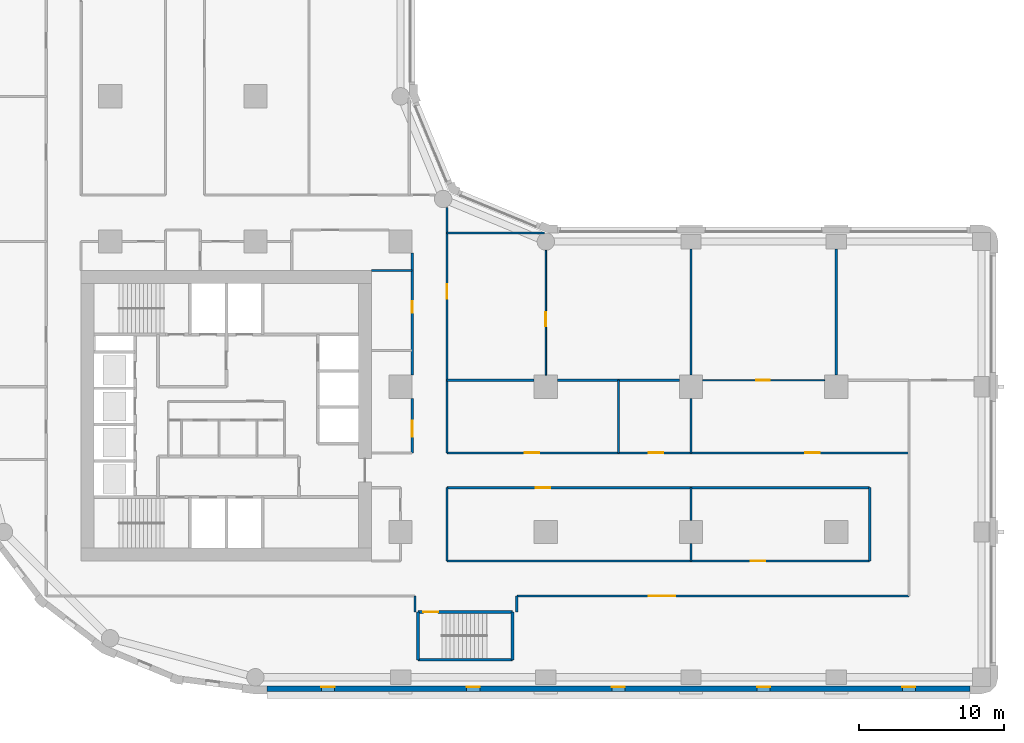
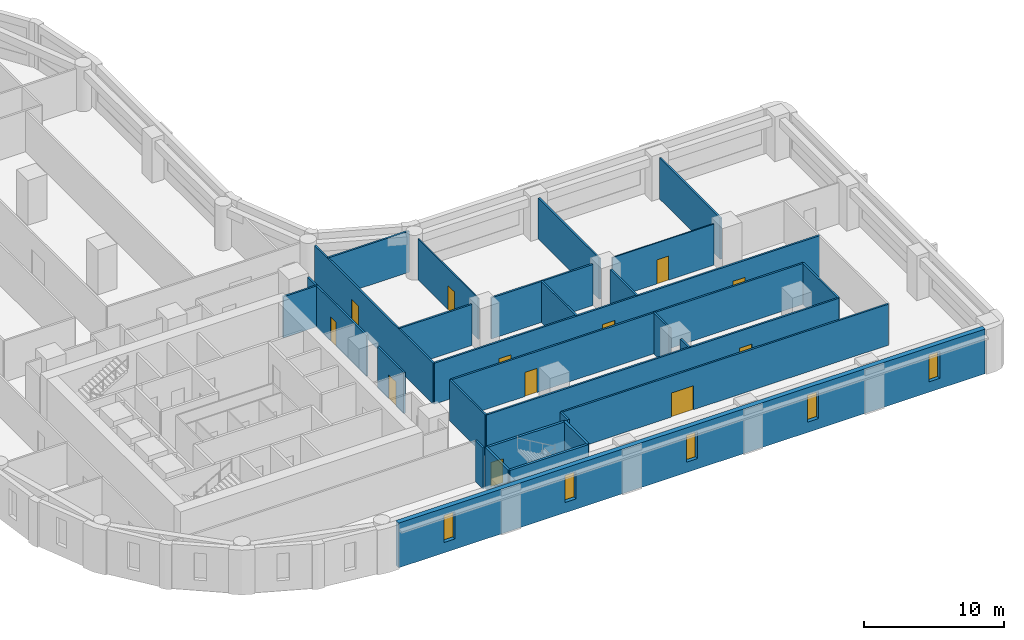
# One storey, part 4 of 10: 28 walls, 12 doors, 5 windows, 17 openings.
"""IFC4 building model written with IfcOpenShell, lengths in metres."""

import ifcopenshell
import ifcopenshell.guid

model = None  # the IFC model being written
_history = None  # IfcOwnerHistory: only IFC2X3 demands one
_inside = {}  # id of a spatial element -> (the spatial element, [elements in it])
_under = {}  # id of a project, library or spatial element -> (it, [spatial elements below it])
_declared = {}  # id of a project -> (the project, [libraries it declares])
_typed = {}  # id of a type object -> (the type object, [elements of that type])
_made_of = {}  # id of a material, layer set ... -> (it, [elements and type objects made of it])


def new_model(schema):
    """Start an empty IFC model of exactly this schema.

    Asked for "IFC4X3", IfcOpenShell would pick the latest addendum, in which some entities
    have other attributes; the version numbers below select the first issue.
    IFC2X3 requires an IfcOwnerHistory on every rooted entity: one is made here for all.
    """
    global model, _history
    if schema == "IFC4X3":
        model = ifcopenshell.file(schema_version=(4, 3, 0, 0))
    else:
        model = ifcopenshell.file(schema=schema)
    _inside.clear()
    _under.clear()
    _declared.clear()
    _typed.clear()
    _made_of.clear()
    _history = None
    if model.schema == "IFC2X3":
        org = make("IfcOrganization", Name="unknown")
        user = make(
            "IfcPersonAndOrganization",
            ThePerson=make("IfcPerson", FamilyName="unknown"),
            TheOrganization=org,
        )
        app = make(
            "IfcApplication",
            ApplicationDeveloper=org,
            Version="unknown",
            ApplicationFullName="unknown",
            ApplicationIdentifier="unknown",
        )
        _history = make(
            "IfcOwnerHistory",
            OwningUser=user,
            OwningApplication=app,
            ChangeAction="ADDED",
            CreationDate=0,
        )
    return model


def make(cls, **values):
    """One entity of the class cls with the attributes given. An attribute that is None is left unset."""
    return model.create_entity(
        cls, **{name: value for name, value in values.items() if value is not None}
    )


def rooted(cls, **values):
    """An entity with a GlobalId (a new one), such as an element, a storey or a relation."""
    return make(cls, GlobalId=ifcopenshell.guid.new(), OwnerHistory=_history, **values)


def si_unit(unit_type, name, prefix=None):
    """IfcSIUnit, for example si_unit("LENGTHUNIT", "METRE", prefix="MILLI")."""
    return make("IfcSIUnit", UnitType=unit_type, Prefix=prefix, Name=name)


def assignment(units):
    """IfcUnitAssignment: the units of a project."""
    return None if units is None else make("IfcUnitAssignment", Units=units)


def point(xyz):
    """IfcCartesianPoint."""
    return None if xyz is None else make("IfcCartesianPoint", Coordinates=xyz)


def direction(xyz):
    """IfcDirection."""
    return None if xyz is None else make("IfcDirection", DirectionRatios=xyz)


def frame(location, z_axis=None, x_axis=None):
    """IfcAxis2Placement3D, a coordinate frame: its origin and axes. An axis left out is left unset."""
    return make(
        "IfcAxis2Placement3D",
        Location=point(location),
        Axis=direction(z_axis),
        RefDirection=direction(x_axis),
    )


def frame_2d(location, x_axis=None):
    """IfcAxis2Placement2D, a coordinate frame in the plane: its origin and x axis."""
    return make(
        "IfcAxis2Placement2D", Location=point(location), RefDirection=direction(x_axis)
    )


def origin():
    """The frame at (0, 0, 0) with its axes left unset."""
    return frame((0.0, 0.0, 0.0))


def place(relative_to, where):
    """IfcLocalPlacement: puts the frame where relative to a parent placement (None: the world)."""
    return make(
        "IfcLocalPlacement", PlacementRelTo=relative_to, RelativePlacement=where
    )


def context(
    kind, dimensions, precision=None, world=None, true_north=None, identifier=None
):
    """IfcGeometricRepresentationContext, for example the 3D "Model" context."""
    return make(
        "IfcGeometricRepresentationContext",
        ContextIdentifier=identifier,
        ContextType=kind,
        CoordinateSpaceDimension=dimensions,
        Precision=precision,
        WorldCoordinateSystem=world,
        TrueNorth=true_north,
    )


def subcontext(parent, identifier, kind, view, scale=None):
    """IfcGeometricRepresentationSubContext, for example "Body" below "Model"."""
    return make(
        "IfcGeometricRepresentationSubContext",
        ContextIdentifier=identifier,
        ContextType=kind,
        ParentContext=parent,
        TargetScale=scale,
        TargetView=view,
    )


def project(units=None, contexts=None):
    """IfcProject with its units and contexts."""
    return rooted(
        "IfcProject",
        Name="project",
        RepresentationContexts=contexts,
        UnitsInContext=assignment(units),
    )


def spatial(cls, under=None, at=None, **own):
    """A site, building, storey or space (cls), placed at a placement, below another one or the project."""
    s = rooted(cls, ObjectPlacement=at, **own)
    if under is not None:
        _under.setdefault(under.id(), (under, []))[1].append(s)
    return s


def profile(cls, at=None, kind="AREA", **sizes):
    """A parametric profile (cls). Its sizes go by their IFC names, for example OverallWidth=200.0."""
    return make(cls, ProfileType=kind, Position=at, **sizes)


def rectangle(**sizes):
    """IfcRectangleProfileDef."""
    return profile("IfcRectangleProfileDef", **sizes)


def extrude(swept, where, along, depth):
    """IfcExtrudedAreaSolid: the profile swept, set in the frame where, extruded along a direction by depth."""
    return make(
        "IfcExtrudedAreaSolid",
        SweptArea=swept,
        Position=where,
        ExtrudedDirection=direction(along),
        Depth=depth,
    )


def shape(context_of_items, identifier, shape_type, items):
    """IfcShapeRepresentation: the items that make up one representation, for example the "Body"."""
    return make(
        "IfcShapeRepresentation",
        ContextOfItems=context_of_items,
        RepresentationIdentifier=identifier,
        RepresentationType=shape_type,
        Items=items,
    )


def material(Name=None, Category=None):
    """IfcMaterial."""
    return make("IfcMaterial", Name=Name, Category=Category)


def layer(
    of_material, thickness, ventilated=None, Name=None, Category=None, Priority=None
):
    """IfcMaterialLayer: one layer of a wall or slab, of a material (None: an air gap)."""
    return make(
        "IfcMaterialLayer",
        Material=of_material,
        LayerThickness=thickness,
        IsVentilated=ventilated,
        Name=Name,
        Category=Category,
        Priority=Priority,
    )


def layer_set(layers, Name=None):
    """IfcMaterialLayerSet."""
    return make("IfcMaterialLayerSet", MaterialLayers=layers, LayerSetName=Name)


def made_of(thing, what):
    """Note that an element or type object is made of a material, layer set ...; save() writes the relation."""
    if what is not None:
        _made_of.setdefault(what.id(), (what, []))[1].append(thing)
    return thing


def type_object(cls, material=None, **own):
    """A type object (cls), such as IfcWallType, which elements share."""
    return made_of(rooted(cls, **own), material)


def element(
    cls,
    number,
    at=None,
    inside=None,
    cuts=None,
    type_object=None,
    material=None,
    context=None,
    identifier="Body",
    shape_type=None,
    held_by="IfcProductDefinitionShape",
    body=None,
    shapes=None,
    **own,
):
    """One element of the class cls, such as IfcWall. Its Tag is "e" and its number.

    at: its placement. inside: the storey or other place that contains it. cuts: it is an
    opening in that element (IfcRelVoidsElement). A single representation is given by context,
    identifier, shape_type and body (its items); several are given by shapes. held_by: the class
    of the entity that holds the representations. save() writes the other relations.
    """
    e = rooted(cls, Tag="e%d" % number, ObjectPlacement=at, **own)
    if body is not None:
        shapes = [shape(context, identifier, shape_type, body)]
    if shapes is not None:
        e.Representation = make(held_by, Representations=shapes)
    if inside is not None:
        _inside.setdefault(inside.id(), (inside, []))[1].append(e)
    if cuts is not None:
        rooted(
            "IfcRelVoidsElement", RelatingBuildingElement=cuts, RelatedOpeningElement=e
        )
    if type_object is not None:
        _typed.setdefault(type_object.id(), (type_object, []))[1].append(e)
    return made_of(e, material)


def fill(opening, filler):
    """IfcRelFillsElement: the door or window that sits in an opening."""
    return rooted(
        "IfcRelFillsElement",
        RelatingOpeningElement=opening,
        RelatedBuildingElement=filler,
    )


def aggregate(whole, parts):
    """IfcRelAggregates: a whole, such as a stair, and the parts it consists of."""
    return rooted("IfcRelAggregates", RelatingObject=whole, RelatedObjects=parts)


def save(model, path):
    """Write the relations noted so far, then the file.

    IfcRelAggregates (storeys below a building ...), IfcRelContainedInSpatialStructure (elements
    in a storey), IfcRelDefinesByType, IfcRelAssociatesMaterial and IfcRelDeclares: one each for
    every whole, place, type object, material and project.
    """
    for whole, parts in _under.values():
        aggregate(whole, parts)
    for where, things in _inside.values():
        rooted(
            "IfcRelContainedInSpatialStructure",
            RelatedElements=things,
            RelatingStructure=where,
        )
    for kind, things in _typed.values():
        rooted("IfcRelDefinesByType", RelatedObjects=things, RelatingType=kind)
    for what, things in _made_of.values():
        rooted("IfcRelAssociatesMaterial", RelatedObjects=things, RelatingMaterial=what)
    for by, libraries in _declared.values():
        rooted("IfcRelDeclares", RelatingContext=by, RelatedDefinitions=libraries)
    model.write(path)


model = new_model("IFC4")

# Units and contexts
model_context = context("Model", 3, precision=1e-05, world=origin(), true_north=direction((0.0, 1.0)))
body_context = subcontext(model_context, "Body", "Model", "MODEL_VIEW")
ifc_project = project(units=[si_unit("LENGTHUNIT", "METRE"), si_unit("AREAUNIT", "SQUARE_METRE"), si_unit("VOLUMEUNIT", "CUBIC_METRE"), si_unit("PLANEANGLEUNIT", "RADIAN"), si_unit("MASSUNIT", "GRAM", prefix="KILO")], contexts=[model_context])

# Site, building, storey
site_placement = place(None, origin())
site = spatial("IfcSite", under=ifc_project, at=site_placement, CompositionType="ELEMENT")
building_placement = place(site_placement, origin())
building = spatial("IfcBuilding", under=site, at=building_placement, Name="Qaws Garden Tower", CompositionType="ELEMENT")
storey_placement = place(building_placement, frame((0.0, 0.0, 78.300048828125)))
storey = spatial("IfcBuildingStorey", under=building, at=storey_placement, Name="L19", CompositionType="ELEMENT", Elevation=78.300048828125)

# Wall, openings, windows
ifc_material_1 = material(Name="Clay facing brick masonry", Category="masonry")
ifc_layer_1 = layer(ifc_material_1, 0.39990234375)
ifc_layer_set_1 = layer_set([ifc_layer_1], Name="Clay facing brick masonry")
wall_type_1 = type_object("IfcWallType", Name="Brick infill wall 400", PredefinedType="SOLIDWALL", material=ifc_layer_set_1)
wall_1_placement = place(storey_placement, frame((20.800048828125, -0.800048828125, 0.0), z_axis=(0.0, 0.0, 1.0), x_axis=(1.0, 0.0, 0.0)))
wall_1 = element("IfcWall", 1, at=wall_1_placement, inside=storey, type_object=wall_type_1, Name="E-L19-infill-00", PredefinedType="SOLIDWALL", context=body_context, shape_type="SweptSolid", body=[
    extrude(rectangle(XDim=48.39990234375, YDim=0.39990234375, at=frame_2d((24.199951171875, 0.0))), origin(), (0.0, 0.0, 1.0), 3.89990234375),
])
opening_1_placement = place(wall_1_placement, frame((3.75, 0.0, 0.89990234375)))
opening_1 = element("IfcOpeningElement", 2, at=opening_1_placement, cuts=wall_1, Name="Opening W09", PredefinedType="OPENING", context=body_context, shape_type="SweptSolid", body=[
    extrude(rectangle(XDim=0.89990234375, YDim=2.35009765625, at=frame_2d((0.449951171875, 1.175048828125))), frame((0.0, 0.2099609375, 0.0), z_axis=(0.0, -1.0, 0.0), x_axis=(1.0, 0.0, 0.0)), (0.0, 0.0, 1.0), 0.419921875),
])
opening_2_placement = place(wall_1_placement, frame((13.75, 0.0, 0.89990234375)))
opening_2 = element("IfcOpeningElement", 3, at=opening_2_placement, cuts=wall_1, Name="Opening W09", PredefinedType="OPENING", context=body_context, shape_type="SweptSolid", body=[
    extrude(rectangle(XDim=0.89990234375, YDim=2.35009765625, at=frame_2d((0.449951171875, 1.175048828125))), frame((0.0, 0.2099609375, 0.0), z_axis=(0.0, -1.0, 0.0), x_axis=(1.0, 0.0, 0.0)), (0.0, 0.0, 1.0), 0.419921875),
])
opening_3_placement = place(wall_1_placement, frame((23.75, 0.0, 0.89990234375)))
opening_3 = element("IfcOpeningElement", 4, at=opening_3_placement, cuts=wall_1, Name="Opening W09", PredefinedType="OPENING", context=body_context, shape_type="SweptSolid", body=[
    extrude(rectangle(XDim=0.89990234375, YDim=2.35009765625, at=frame_2d((0.449951171875, 1.175048828125))), frame((0.0, 0.2099609375, 0.0), z_axis=(0.0, -1.0, 0.0), x_axis=(1.0, 0.0, 0.0)), (0.0, 0.0, 1.0), 0.419921875),
])
opening_4_placement = place(wall_1_placement, frame((33.75, 0.0, 0.89990234375)))
opening_4 = element("IfcOpeningElement", 5, at=opening_4_placement, cuts=wall_1, Name="Opening W09", PredefinedType="OPENING", context=body_context, shape_type="SweptSolid", body=[
    extrude(rectangle(XDim=0.89990234375, YDim=2.35009765625, at=frame_2d((0.449951171875, 1.175048828125))), frame((0.0, 0.2099609375, 0.0), z_axis=(0.0, -1.0, 0.0), x_axis=(1.0, 0.0, 0.0)), (0.0, 0.0, 1.0), 0.419921875),
])
opening_5_placement = place(wall_1_placement, frame((43.75, 0.0, 0.89990234375)))
opening_5 = element("IfcOpeningElement", 6, at=opening_5_placement, cuts=wall_1, Name="Opening W09", PredefinedType="OPENING", context=body_context, shape_type="SweptSolid", body=[
    extrude(rectangle(XDim=0.89990234375, YDim=2.35009765625, at=frame_2d((0.449951171875, 1.175048828125))), frame((0.0, 0.2099609375, 0.0), z_axis=(0.0, -1.0, 0.0), x_axis=(1.0, 0.0, 0.0)), (0.0, 0.0, 1.0), 0.419921875),
])
ifc_material_2 = material(Name="Aluminium framed window, clear glazing", Category="aluminium")
window_type = type_object("IfcWindowType", Name="Slit window 900 x 2350", PartitioningType="SINGLE_PANEL", PredefinedType="WINDOW", material=ifc_material_2)
window_1_placement = place(opening_1_placement, origin())
window_1 = element("IfcWindow", 7, at=window_1_placement, inside=storey, type_object=window_type, Name="E-L19-window-00-0", OverallHeight=2.35009765625, OverallWidth=0.89990234375, PartitioningType="SINGLE_PANEL", PredefinedType="WINDOW", context=body_context, shape_type="SweptSolid", body=[
    extrude(rectangle(XDim=0.89990234375, YDim=2.35009765625, at=frame_2d((0.449951171875, 1.175048828125))), frame((0.0, 0.159912109375, 0.0), z_axis=(0.0, -1.0, 0.0), x_axis=(1.0, 0.0, 0.0)), (0.0, 0.0, 1.0), 0.06005859375),
])
fill(opening_1, window_1)
window_2_placement = place(opening_2_placement, origin())
window_2 = element("IfcWindow", 8, at=window_2_placement, inside=storey, type_object=window_type, Name="E-L19-window-01-0", OverallHeight=2.35009765625, OverallWidth=0.89990234375, PartitioningType="SINGLE_PANEL", PredefinedType="WINDOW", context=body_context, shape_type="SweptSolid", body=[
    extrude(rectangle(XDim=0.89990234375, YDim=2.35009765625, at=frame_2d((0.449951171875, 1.175048828125))), frame((0.0, 0.159912109375, 0.0), z_axis=(0.0, -1.0, 0.0), x_axis=(1.0, 0.0, 0.0)), (0.0, 0.0, 1.0), 0.06005859375),
])
fill(opening_2, window_2)
window_3_placement = place(opening_3_placement, origin())
window_3 = element("IfcWindow", 9, at=window_3_placement, inside=storey, type_object=window_type, Name="E-L19-window-02-0", OverallHeight=2.35009765625, OverallWidth=0.89990234375, PartitioningType="SINGLE_PANEL", PredefinedType="WINDOW", context=body_context, shape_type="SweptSolid", body=[
    extrude(rectangle(XDim=0.89990234375, YDim=2.35009765625, at=frame_2d((0.449951171875, 1.175048828125))), frame((0.0, 0.159912109375, 0.0), z_axis=(0.0, -1.0, 0.0), x_axis=(1.0, 0.0, 0.0)), (0.0, 0.0, 1.0), 0.06005859375),
])
fill(opening_3, window_3)
window_4_placement = place(opening_4_placement, origin())
window_4 = element("IfcWindow", 10, at=window_4_placement, inside=storey, type_object=window_type, Name="E-L19-window-03-0", OverallHeight=2.35009765625, OverallWidth=0.89990234375, PartitioningType="SINGLE_PANEL", PredefinedType="WINDOW", context=body_context, shape_type="SweptSolid", body=[
    extrude(rectangle(XDim=0.89990234375, YDim=2.35009765625, at=frame_2d((0.449951171875, 1.175048828125))), frame((0.0, 0.159912109375, 0.0), z_axis=(0.0, -1.0, 0.0), x_axis=(1.0, 0.0, 0.0)), (0.0, 0.0, 1.0), 0.06005859375),
])
fill(opening_4, window_4)
window_5_placement = place(opening_5_placement, origin())
window_5 = element("IfcWindow", 11, at=window_5_placement, inside=storey, type_object=window_type, Name="E-L19-window-04-0", OverallHeight=2.35009765625, OverallWidth=0.89990234375, PartitioningType="SINGLE_PANEL", PredefinedType="WINDOW", context=body_context, shape_type="SweptSolid", body=[
    extrude(rectangle(XDim=0.89990234375, YDim=2.35009765625, at=frame_2d((0.449951171875, 1.175048828125))), frame((0.0, 0.159912109375, 0.0), z_axis=(0.0, -1.0, 0.0), x_axis=(1.0, 0.0, 0.0)), (0.0, 0.0, 1.0), 0.06005859375),
])
fill(opening_5, window_5)

# Wall
ifc_material_3 = material(Name="Concrete C80", Category="concrete")
ifc_layer_2 = layer(ifc_material_3, 0.199951171875)
ifc_layer_set_2 = layer_set([ifc_layer_2], Name="Concrete C80")
wall_type_2 = type_object("IfcWallType", Name="Core shaft wall 200 C80", PredefinedType="SHEAR", material=ifc_layer_set_2)
wall_2_placement = place(storey_placement, frame((31.199951171875, 1.199951171875, 0.0), z_axis=(0.0, 0.0, 1.0), x_axis=(1.0, 0.0, 0.0)))
element("IfcWall", 12, at=wall_2_placement, inside=storey, type_object=wall_type_2, Name="Shaft wall", PredefinedType="SHEAR", context=body_context, shape_type="SweptSolid", body=[
    extrude(rectangle(XDim=6.5, YDim=0.199951171875, at=frame_2d((3.25, 0.0))), origin(), (0.0, 0.0, 1.0), 3.579833984375),
])

# Wall, opening, door
wall_3_placement = place(storey_placement, frame((31.199951171875, 4.5, 0.0), z_axis=(0.0, 0.0, 1.0), x_axis=(1.0, 0.0, 0.0)))
wall_3 = element("IfcWall", 13, at=wall_3_placement, inside=storey, type_object=wall_type_2, Name="Shaft wall", PredefinedType="SHEAR", context=body_context, shape_type="SweptSolid", body=[
    extrude(rectangle(XDim=6.5, YDim=0.199951171875, at=frame_2d((3.25, 0.0))), origin(), (0.0, 0.0, 1.0), 3.579833984375),
])
opening_6_placement = place(wall_3_placement, frame((0.375, 0.0, 0.0)))
opening_6 = element("IfcOpeningElement", 14, at=opening_6_placement, cuts=wall_3, Name="Opening SD12", PredefinedType="OPENING", context=body_context, shape_type="SweptSolid", body=[
    extrude(rectangle(XDim=1.0, YDim=2.10009765625, at=frame_2d((0.5, 1.050048828125))), frame((0.0, 0.10986328125, 0.0), z_axis=(0.0, -1.0, 0.0), x_axis=(1.0, 0.0, 0.0)), (0.0, 0.0, 1.0), 0.219970703125),
])
ifc_material_4 = material(Name="Steel S235", Category="steel")
door_type_1 = type_object("IfcDoorType", Name="Stair door 1000x2100", OperationType="SINGLE_SWING_RIGHT", PredefinedType="DOOR", material=ifc_material_4)
door_1_placement = place(opening_6_placement, frame((1.0, 0.0, 0.0), z_axis=(0.0, 0.0, 1.0), x_axis=(-1.0, 0.0, 0.0)))
door_1 = element("IfcDoor", 15, at=door_1_placement, inside=storey, type_object=door_type_1, Name="Stair 5 door", OperationType="SINGLE_SWING_RIGHT", OverallHeight=2.10009765625, OverallWidth=1.0, PredefinedType="DOOR", context=body_context, shape_type="SweptSolid", body=[
    extrude(rectangle(XDim=1.0, YDim=2.10009765625, at=frame_2d((0.5, 1.050048828125))), frame((0.0, 0.02490234375, 0.0), z_axis=(0.0, -1.0, 0.0), x_axis=(1.0, 0.0, 0.0)), (0.0, 0.0, 1.0), 0.050048828125),
])
fill(opening_6, door_1)

# Walls
for number, where, z_axis, x_axis, name in (
    (16, (31.199951171875, 1.199951171875, 0.0), (0.0, 0.0, 1.0), (0.0, 1.0, 0.0), "Shaft wall"),
    (17, (37.699951171875, 1.199951171875, 0.0), (0.0, 0.0, 1.0), (0.0, 1.0, 0.0), "Shaft wall"),
):
    element("IfcWall", number, at=place(storey_placement, frame(where, z_axis=z_axis, x_axis=x_axis)), inside=storey, type_object=wall_type_2, Name=name, PredefinedType="SHEAR", context=body_context, shape_type="SweptSolid", body=[
        extrude(rectangle(XDim=3.300048828125, YDim=0.199951171875, at=frame_2d((1.64990234375, 0.0))), origin(), (0.0, 0.0, 1.0), 3.579833984375),
    ])

# Wall, opening, door
ifc_material_5 = material(Name="Gypsum board partition")
ifc_layer_3 = layer(ifc_material_5, 0.10009765625)
ifc_layer_set_3 = layer_set([ifc_layer_3], Name="Gypsum board partition")
wall_type_3 = type_object("IfcWallType", Name="PARTITION 100", PredefinedType="PARTITIONING", material=ifc_layer_set_3)
wall_4_placement = place(storey_placement, frame((40.0, 20.800048828125, 0.0), z_axis=(0.0, 0.0, 1.0), x_axis=(0.0, 1.0, 0.0)))
wall_4 = element("IfcWall", 18, at=wall_4_placement, inside=storey, type_object=wall_type_3, Name="O-L19-wall-001", PredefinedType="PARTITIONING", context=body_context, shape_type="SweptSolid", body=[
    extrude(rectangle(XDim=8.599853515625, YDim=0.10009765625, at=frame_2d((4.2998046875, 0.0))), origin(), (0.0, 0.0, 1.0), 3.579833984375),
])
opening_7_placement = place(wall_4_placement, frame((3.375, 0.0, 0.0)))
opening_7 = element("IfcOpeningElement", 19, at=opening_7_placement, cuts=wall_4, Name="Opening A626", PredefinedType="OPENING", context=body_context, shape_type="SweptSolid", body=[
    extrude(rectangle(XDim=0.949951171875, YDim=2.10009765625, at=frame_2d((0.47509765625, 1.050048828125))), frame((0.0, 0.06005859375, 0.0), z_axis=(0.0, -1.0, 0.0), x_axis=(1.0, 0.0, 0.0)), (0.0, 0.0, 1.0), 0.1201171875),
])
ifc_material_6 = material(Name="Timber and glass door leaf", Category="wood")
door_type_2 = type_object("IfcDoorType", Name="GLAZED DOOR 950 X 2100", OperationType="SINGLE_SWING_LEFT", PredefinedType="DOOR", material=ifc_material_6)
door_2_placement = place(opening_7_placement, origin())
door_2 = element("IfcDoor", 20, at=door_2_placement, inside=storey, type_object=door_type_2, Name="O-L19-door-026", OperationType="SINGLE_SWING_RIGHT", OverallHeight=2.10009765625, OverallWidth=0.949951171875, PredefinedType="DOOR", context=body_context, shape_type="SweptSolid", body=[
    extrude(rectangle(XDim=0.949951171875, YDim=2.10009765625, at=frame_2d((0.47509765625, 1.050048828125))), frame((0.0, 0.02490234375, 0.0), z_axis=(0.0, -1.0, 0.0), x_axis=(1.0, 0.0, 0.0)), (0.0, 0.0, 1.0), 0.050048828125),
])
fill(opening_7, door_2)

wall_5_placement = place(storey_placement, frame((50.800048828125, 20.449951171875, 0.0), z_axis=(0.0, 0.0, 1.0), x_axis=(1.0, 0.0, 0.0)))
wall_5 = element("IfcWall", 21, at=wall_5_placement, inside=storey, type_object=wall_type_3, Name="O-L19-wall-002", PredefinedType="PARTITIONING", context=body_context, shape_type="SweptSolid", body=[
    extrude(rectangle(XDim=8.39990234375, YDim=0.10009765625, at=frame_2d((4.199951171875, 0.0))), origin(), (0.0, 0.0, 1.0), 3.579833984375),
])
opening_8_placement = place(wall_5_placement, frame((3.675048828125, 0.0, 0.0)))
opening_8 = element("IfcOpeningElement", 22, at=opening_8_placement, cuts=wall_5, Name="Opening A627", PredefinedType="OPENING", context=body_context, shape_type="SweptSolid", body=[
    extrude(rectangle(XDim=0.949951171875, YDim=2.10009765625, at=frame_2d((0.47509765625, 1.050048828125))), frame((0.0, 0.06005859375, 0.0), z_axis=(0.0, -1.0, 0.0), x_axis=(1.0, 0.0, 0.0)), (0.0, 0.0, 1.0), 0.1201171875),
])
door_3_placement = place(opening_8_placement, frame((0.949951171875, 0.0, 0.0), z_axis=(0.0, 0.0, 1.0), x_axis=(-1.0, 0.0, 0.0)))
door_3 = element("IfcDoor", 23, at=door_3_placement, inside=storey, type_object=door_type_2, Name="O-L19-door-027", OperationType="SINGLE_SWING_RIGHT", OverallHeight=2.10009765625, OverallWidth=0.949951171875, PredefinedType="DOOR", context=body_context, shape_type="SweptSolid", body=[
    extrude(rectangle(XDim=0.949951171875, YDim=2.10009765625, at=frame_2d((0.47509765625, 1.050048828125))), frame((0.0, 0.02490234375, 0.0), z_axis=(0.0, -1.0, 0.0), x_axis=(1.0, 0.0, 0.0)), (0.0, 0.0, 1.0), 0.050048828125),
])
fill(opening_8, door_3)

ifc_material_7 = material(Name="Gypsum board partition")
ifc_layer_4 = layer(ifc_material_7, 0.14990234375)
ifc_layer_set_4 = layer_set([ifc_layer_4], Name="Gypsum board partition")
wall_type_4 = type_object("IfcWallType", Name="PARTITION 150 EI 60", PredefinedType="PARTITIONING", material=ifc_layer_set_4)
wall_6_placement = place(storey_placement, frame((30.800048828125, 15.449951171875, 0.0), z_axis=(0.0, 0.0, 1.0), x_axis=(0.0, 1.0, 0.0)))
wall_6 = element("IfcWall", 24, at=wall_6_placement, inside=storey, type_object=wall_type_4, Name="O-L19-wall-019", PredefinedType="PARTITIONING", context=body_context, shape_type="SweptSolid", body=[
    extrude(rectangle(XDim=3.75, YDim=0.14990234375, at=frame_2d((1.875, 0.0))), origin(), (0.0, 0.0, 1.0), 3.579833984375),
])
opening_9_placement = place(wall_6_placement, frame((1.10009765625, 0.0, 0.0)))
opening_9 = element("IfcOpeningElement", 25, at=opening_9_placement, cuts=wall_6, Name="Opening A607", PredefinedType="OPENING", context=body_context, shape_type="SweptSolid", body=[
    extrude(rectangle(XDim=1.10009765625, YDim=2.10009765625, at=frame_2d((0.550048828125, 1.050048828125))), frame((0.0, 0.0849609375, 0.0), z_axis=(0.0, -1.0, 0.0), x_axis=(1.0, 0.0, 0.0)), (0.0, 0.0, 1.0), 0.169921875),
])
ifc_material_8 = material(Name="Timber door leaf", Category="wood")
door_type_3 = type_object("IfcDoorType", Name="SERVICE ROOM DOOR 1100 X 2100", OperationType="SINGLE_SWING_LEFT", PredefinedType="DOOR", material=ifc_material_8)
door_4_placement = place(opening_9_placement, origin())
door_4 = element("IfcDoor", 26, at=door_4_placement, inside=storey, type_object=door_type_3, Name="O-L19-door-007", OperationType="SINGLE_SWING_LEFT", OverallHeight=2.10009765625, OverallWidth=1.10009765625, PredefinedType="DOOR", context=body_context, shape_type="SweptSolid", body=[
    extrude(rectangle(XDim=1.10009765625, YDim=2.10009765625, at=frame_2d((0.550048828125, 1.050048828125))), frame((0.0, 0.02490234375, 0.0), z_axis=(0.0, -1.0, 0.0), x_axis=(1.0, 0.0, 0.0)), (0.0, 0.0, 1.0), 0.050048828125),
])
fill(opening_9, door_4)

wall_7_placement = place(storey_placement, frame((30.800048828125, 20.800048828125, 0.0), z_axis=(0.0, 0.0, 1.0), x_axis=(0.0, 1.0, 0.0)))
wall_7 = element("IfcWall", 27, at=wall_7_placement, inside=storey, type_object=wall_type_4, Name="O-L19-wall-020", PredefinedType="PARTITIONING", context=body_context, shape_type="SweptSolid", body=[
    extrude(rectangle(XDim=8.39990234375, YDim=0.14990234375, at=frame_2d((4.199951171875, 0.0))), origin(), (0.0, 0.0, 1.0), 3.579833984375),
])
opening_10_placement = place(wall_7_placement, frame((4.300048828125, 0.0, 0.0)))
opening_10 = element("IfcOpeningElement", 28, at=opening_10_placement, cuts=wall_7, Name="Opening A608", PredefinedType="OPENING", context=body_context, shape_type="SweptSolid", body=[
    extrude(rectangle(XDim=0.800048828125, YDim=2.10009765625, at=frame_2d((0.39990234375, 1.050048828125))), frame((0.0, 0.0849609375, 0.0), z_axis=(0.0, -1.0, 0.0), x_axis=(1.0, 0.0, 0.0)), (0.0, 0.0, 1.0), 0.169921875),
])
ifc_material_9 = material(Name="Timber door leaf", Category="wood")
door_type_4 = type_object("IfcDoorType", Name="STORE DOOR 800 X 2100", OperationType="SINGLE_SWING_LEFT", PredefinedType="DOOR", material=ifc_material_9)
door_5_placement = place(opening_10_placement, origin())
door_5 = element("IfcDoor", 29, at=door_5_placement, inside=storey, type_object=door_type_4, Name="O-L19-door-008", OperationType="SINGLE_SWING_RIGHT", OverallHeight=2.10009765625, OverallWidth=0.800048828125, PredefinedType="DOOR", context=body_context, shape_type="SweptSolid", body=[
    extrude(rectangle(XDim=0.800048828125, YDim=2.10009765625, at=frame_2d((0.39990234375, 1.050048828125))), frame((0.0, 0.02490234375, 0.0), z_axis=(0.0, -1.0, 0.0), x_axis=(1.0, 0.0, 0.0)), (0.0, 0.0, 1.0), 0.050048828125),
])
fill(opening_10, door_5)

# Walls
wall_8_placement = place(storey_placement, frame((31.0, 4.5, 0.0), z_axis=(0.0, 0.0, 1.0), x_axis=(0.0, 1.0, 0.0)))
element("IfcWall", 30, at=wall_8_placement, inside=storey, type_object=wall_type_4, Name="O-L19-wall-021", PredefinedType="PARTITIONING", context=body_context, shape_type="SweptSolid", body=[
    extrude(rectangle(XDim=1.10009765625, YDim=0.14990234375, at=frame_2d((0.550048828125, 0.0))), origin(), (0.0, 0.0, 1.0), 3.579833984375),
])
wall_9_placement = place(storey_placement, frame((33.199951171875, 8.0, 0.0), z_axis=(0.0, 0.0, 1.0), x_axis=(0.0, 1.0, 0.0)))
element("IfcWall", 31, at=wall_9_placement, inside=storey, type_object=wall_type_4, Name="O-L19-wall-022", PredefinedType="PARTITIONING", context=body_context, shape_type="SweptSolid", body=[
    extrude(rectangle(XDim=5.050048828125, YDim=0.14990234375, at=frame_2d((2.52490234375, 0.0))), origin(), (0.0, 0.0, 1.0), 3.579833984375),
])

# Wall, opening, door
wall_10_placement = place(storey_placement, frame((33.199951171875, 15.449951171875, 0.0), z_axis=(0.0, 0.0, 1.0), x_axis=(0.0, 1.0, 0.0)))
wall_10 = element("IfcWall", 32, at=wall_10_placement, inside=storey, type_object=wall_type_4, Name="O-L19-wall-023", PredefinedType="PARTITIONING", context=body_context, shape_type="SweptSolid", body=[
    extrude(rectangle(XDim=16.912109375, YDim=0.14990234375, at=frame_2d((8.4560546875, 0.0))), origin(), (0.0, 0.0, 1.0), 3.579833984375),
])
opening_11_placement = place(wall_10_placement, frame((10.60009765625, 0.0, 0.0)))
opening_11 = element("IfcOpeningElement", 33, at=opening_11_placement, cuts=wall_10, Name="Opening A605", PredefinedType="OPENING", context=body_context, shape_type="SweptSolid", body=[
    extrude(rectangle(XDim=1.0, YDim=2.10009765625, at=frame_2d((0.5, 1.050048828125))), frame((0.0, 0.0849609375, 0.0), z_axis=(0.0, -1.0, 0.0), x_axis=(1.0, 0.0, 0.0)), (0.0, 0.0, 1.0), 0.169921875),
])
ifc_material_10 = material(Name="Timber door leaf", Category="wood")
door_type_5 = type_object("IfcDoorType", Name="TENANCY ENTRANCE DOOR 1000 X 2100", OperationType="SINGLE_SWING_LEFT", PredefinedType="DOOR", material=ifc_material_10)
door_6_placement = place(opening_11_placement, frame((1.0, 0.0, 0.0), z_axis=(0.0, 0.0, 1.0), x_axis=(-1.0, 0.0, 0.0)))
door_6 = element("IfcDoor", 34, at=door_6_placement, inside=storey, type_object=door_type_5, Name="O-L19-door-005", OperationType="SINGLE_SWING_LEFT", OverallHeight=2.10009765625, OverallWidth=1.0, PredefinedType="DOOR", context=body_context, shape_type="SweptSolid", body=[
    extrude(rectangle(XDim=1.0, YDim=2.10009765625, at=frame_2d((0.5, 1.050048828125))), frame((0.0, 0.02490234375, 0.0), z_axis=(0.0, -1.0, 0.0), x_axis=(1.0, 0.0, 0.0)), (0.0, 0.0, 1.0), 0.050048828125),
])
fill(opening_11, door_6)

# Walls
wall_11_placement = place(storey_placement, frame((38.0, 4.5, 0.0), z_axis=(0.0, 0.0, 1.0), x_axis=(0.0, 1.0, 0.0)))
element("IfcWall", 35, at=wall_11_placement, inside=storey, type_object=wall_type_4, Name="O-L19-wall-024", PredefinedType="PARTITIONING", context=body_context, shape_type="SweptSolid", body=[
    extrude(rectangle(XDim=1.10009765625, YDim=0.14990234375, at=frame_2d((0.550048828125, 0.0))), origin(), (0.0, 0.0, 1.0), 3.579833984375),
])
wall_12_placement = place(storey_placement, frame((45.0, 15.449951171875, 0.0), z_axis=(0.0, 0.0, 1.0), x_axis=(0.0, 1.0, 0.0)))
element("IfcWall", 36, at=wall_12_placement, inside=storey, type_object=wall_type_4, Name="O-L19-wall-025", PredefinedType="PARTITIONING", context=body_context, shape_type="SweptSolid", body=[
    extrude(rectangle(XDim=5.0, YDim=0.14990234375, at=frame_2d((2.5, 0.0))), origin(), (0.0, 0.0, 1.0), 3.579833984375),
])
wall_13_placement = place(storey_placement, frame((50.0, 8.0, 0.0), z_axis=(0.0, 0.0, 1.0), x_axis=(0.0, 1.0, 0.0)))
element("IfcWall", 37, at=wall_13_placement, inside=storey, type_object=wall_type_4, Name="O-L19-wall-026", PredefinedType="PARTITIONING", context=body_context, shape_type="SweptSolid", body=[
    extrude(rectangle(XDim=1.199951171875, YDim=0.14990234375, at=frame_2d((0.60009765625, 0.0))), origin(), (0.0, 0.0, 1.0), 3.579833984375),
])
wall_14_placement = place(storey_placement, frame((50.0, 10.800048828125, 0.0), z_axis=(0.0, 0.0, 1.0), x_axis=(0.0, 1.0, 0.0)))
element("IfcWall", 38, at=wall_14_placement, inside=storey, type_object=wall_type_4, Name="O-L19-wall-027", PredefinedType="PARTITIONING", context=body_context, shape_type="SweptSolid", body=[
    extrude(rectangle(XDim=2.25, YDim=0.14990234375, at=frame_2d((1.125, 0.0))), origin(), (0.0, 0.0, 1.0), 3.579833984375),
])
wall_15_placement = place(storey_placement, frame((50.0, 15.449951171875, 0.0), z_axis=(0.0, 0.0, 1.0), x_axis=(0.0, 1.0, 0.0)))
element("IfcWall", 39, at=wall_15_placement, inside=storey, type_object=wall_type_4, Name="O-L19-wall-028", PredefinedType="PARTITIONING", context=body_context, shape_type="SweptSolid", body=[
    extrude(rectangle(XDim=3.75, YDim=0.14990234375, at=frame_2d((1.875, 0.0))), origin(), (0.0, 0.0, 1.0), 3.579833984375),
])
for number, where, z_axis, x_axis, name in (
    (40, (50.0, 20.800048828125, 0.0), (0.0, 0.0, 1.0), (0.0, 1.0, 0.0), "O-L19-wall-029"),
    (41, (60.0, 20.800048828125, 0.0), (0.0, 0.0, 1.0), (0.0, 1.0, 0.0), "O-L19-wall-030"),
):
    element("IfcWall", number, at=place(storey_placement, frame(where, z_axis=z_axis, x_axis=x_axis)), inside=storey, type_object=wall_type_4, Name=name, PredefinedType="PARTITIONING", context=body_context, shape_type="SweptSolid", body=[
        extrude(rectangle(XDim=8.699951171875, YDim=0.14990234375, at=frame_2d((4.35009765625, 0.0))), origin(), (0.0, 0.0, 1.0), 3.579833984375),
    ])
wall_16_placement = place(storey_placement, frame((62.300048828125, 8.0, 0.0), z_axis=(0.0, 0.0, 1.0), x_axis=(0.0, 1.0, 0.0)))
element("IfcWall", 42, at=wall_16_placement, inside=storey, type_object=wall_type_4, Name="O-L19-wall-031", PredefinedType="PARTITIONING", context=body_context, shape_type="SweptSolid", body=[
    extrude(rectangle(XDim=5.050048828125, YDim=0.14990234375, at=frame_2d((2.52490234375, 0.0))), origin(), (0.0, 0.0, 1.0), 3.579833984375),
])

# Wall, opening, door
wall_17_placement = place(storey_placement, frame((38.0, 5.60009765625, 0.0), z_axis=(0.0, 0.0, 1.0), x_axis=(1.0, 0.0, 0.0)))
wall_17 = element("IfcWall", 43, at=wall_17_placement, inside=storey, type_object=wall_type_4, Name="O-L19-wall-034", PredefinedType="PARTITIONING", context=body_context, shape_type="SweptSolid", body=[
    extrude(rectangle(XDim=27.0, YDim=0.14990234375, at=frame_2d((13.5, 0.0))), origin(), (0.0, 0.0, 1.0), 3.579833984375),
])
opening_12_placement = place(wall_17_placement, frame((9.10009765625, 0.0, 0.0)))
opening_12 = element("IfcOpeningElement", 44, at=opening_12_placement, cuts=wall_17, Name="Opening A622", PredefinedType="OPENING", context=body_context, shape_type="SweptSolid", body=[
    extrude(rectangle(XDim=1.800048828125, YDim=2.10009765625, at=frame_2d((0.89990234375, 1.050048828125))), frame((0.0, 0.0849609375, 0.0), z_axis=(0.0, -1.0, 0.0), x_axis=(1.0, 0.0, 0.0)), (0.0, 0.0, 1.0), 0.169921875),
])
ifc_material_11 = material(Name="Timber door leaf", Category="wood")
door_type_6 = type_object("IfcDoorType", Name="DOUBLE DOOR 1800 X 2100", OperationType="DOUBLE_DOOR_SINGLE_SWING", PredefinedType="DOOR", material=ifc_material_11)
door_7_placement = place(opening_12_placement, frame((1.800048828125, 0.0, 0.0), z_axis=(0.0, 0.0, 1.0), x_axis=(-1.0, 0.0, 0.0)))
door_7 = element("IfcDoor", 45, at=door_7_placement, inside=storey, type_object=door_type_6, Name="O-L19-door-022", OperationType="DOUBLE_DOOR_SINGLE_SWING", OverallHeight=2.10009765625, OverallWidth=1.800048828125, PredefinedType="DOOR", context=body_context, shape_type="SweptSolid", body=[
    extrude(rectangle(XDim=1.800048828125, YDim=2.10009765625, at=frame_2d((0.89990234375, 1.050048828125))), frame((0.0, 0.02490234375, 0.0), z_axis=(0.0, -1.0, 0.0), x_axis=(1.0, 0.0, 0.0)), (0.0, 0.0, 1.0), 0.050048828125),
])
fill(opening_12, door_7)

wall_18_placement = place(storey_placement, frame((33.199951171875, 8.0, 0.0), z_axis=(0.0, 0.0, 1.0), x_axis=(1.0, 0.0, 0.0)))
wall_18 = element("IfcWall", 46, at=wall_18_placement, inside=storey, type_object=wall_type_4, Name="O-L19-wall-036", PredefinedType="PARTITIONING", context=body_context, shape_type="SweptSolid", body=[
    extrude(rectangle(XDim=29.10009765625, YDim=0.14990234375, at=frame_2d((14.550048828125, 0.0))), origin(), (0.0, 0.0, 1.0), 3.579833984375),
])
opening_13_placement = place(wall_18_placement, frame((20.89990234375, 0.0, 0.0)))
opening_13 = element("IfcOpeningElement", 47, at=opening_13_placement, cuts=wall_18, Name="Opening A624", PredefinedType="OPENING", context=body_context, shape_type="SweptSolid", body=[
    extrude(rectangle(XDim=1.0, YDim=2.10009765625, at=frame_2d((0.5, 1.050048828125))), frame((0.0, 0.0849609375, 0.0), z_axis=(0.0, -1.0, 0.0), x_axis=(1.0, 0.0, 0.0)), (0.0, 0.0, 1.0), 0.169921875),
])
door_8_placement = place(opening_13_placement, origin())
door_8 = element("IfcDoor", 48, at=door_8_placement, inside=storey, type_object=door_type_5, Name="O-L19-door-024", OperationType="SINGLE_SWING_LEFT", OverallHeight=2.10009765625, OverallWidth=1.0, PredefinedType="DOOR", context=body_context, shape_type="SweptSolid", body=[
    extrude(rectangle(XDim=1.0, YDim=2.10009765625, at=frame_2d((0.5, 1.050048828125))), frame((0.0, 0.02490234375, 0.0), z_axis=(0.0, -1.0, 0.0), x_axis=(1.0, 0.0, 0.0)), (0.0, 0.0, 1.0), 0.050048828125),
])
fill(opening_13, door_8)

wall_19_placement = place(storey_placement, frame((33.199951171875, 13.050048828125, 0.0), z_axis=(0.0, 0.0, 1.0), x_axis=(1.0, 0.0, 0.0)))
wall_19 = element("IfcWall", 49, at=wall_19_placement, inside=storey, type_object=wall_type_4, Name="O-L19-wall-038", PredefinedType="PARTITIONING", context=body_context, shape_type="SweptSolid", body=[
    extrude(rectangle(XDim=29.10009765625, YDim=0.14990234375, at=frame_2d((14.550048828125, 0.0))), origin(), (0.0, 0.0, 1.0), 3.579833984375),
])
opening_14_placement = place(wall_19_placement, frame((6.10009765625, 0.0, 0.0)))
opening_14 = element("IfcOpeningElement", 50, at=opening_14_placement, cuts=wall_19, Name="Opening A623", PredefinedType="OPENING", context=body_context, shape_type="SweptSolid", body=[
    extrude(rectangle(XDim=1.0, YDim=2.10009765625, at=frame_2d((0.5, 1.050048828125))), frame((0.0, 0.0849609375, 0.0), z_axis=(0.0, -1.0, 0.0), x_axis=(1.0, 0.0, 0.0)), (0.0, 0.0, 1.0), 0.169921875),
])
door_9_placement = place(opening_14_placement, frame((1.0, 0.0, 0.0), z_axis=(0.0, 0.0, 1.0), x_axis=(-1.0, 0.0, 0.0)))
door_9 = element("IfcDoor", 51, at=door_9_placement, inside=storey, type_object=door_type_5, Name="O-L19-door-023", OperationType="SINGLE_SWING_RIGHT", OverallHeight=2.10009765625, OverallWidth=1.0, PredefinedType="DOOR", context=body_context, shape_type="SweptSolid", body=[
    extrude(rectangle(XDim=1.0, YDim=2.10009765625, at=frame_2d((0.5, 1.050048828125))), frame((0.0, 0.02490234375, 0.0), z_axis=(0.0, -1.0, 0.0), x_axis=(1.0, 0.0, 0.0)), (0.0, 0.0, 1.0), 0.050048828125),
])
fill(opening_14, door_9)

# Wall, openings, doors
wall_20_placement = place(storey_placement, frame((33.199951171875, 15.449951171875, 0.0), z_axis=(0.0, 0.0, 1.0), x_axis=(1.0, 0.0, 0.0)))
wall_20 = element("IfcWall", 52, at=wall_20_placement, inside=storey, type_object=wall_type_4, Name="O-L19-wall-041", PredefinedType="PARTITIONING", context=body_context, shape_type="SweptSolid", body=[
    extrude(rectangle(XDim=31.800048828125, YDim=0.14990234375, at=frame_2d((15.89990234375, 0.0))), origin(), (0.0, 0.0, 1.0), 3.579833984375),
])
opening_15_placement = place(wall_20_placement, frame((13.89990234375, 0.0, 0.0)))
opening_15 = element("IfcOpeningElement", 53, at=opening_15_placement, cuts=wall_20, Name="Opening A603", PredefinedType="OPENING", context=body_context, shape_type="SweptSolid", body=[
    extrude(rectangle(XDim=1.0, YDim=2.10009765625, at=frame_2d((0.5, 1.050048828125))), frame((0.0, 0.0849609375, 0.0), z_axis=(0.0, -1.0, 0.0), x_axis=(1.0, 0.0, 0.0)), (0.0, 0.0, 1.0), 0.169921875),
])
opening_16_placement = place(wall_20_placement, frame((24.64990234375, 0.0, 0.0)))
opening_16 = element("IfcOpeningElement", 54, at=opening_16_placement, cuts=wall_20, Name="Opening A604", PredefinedType="OPENING", context=body_context, shape_type="SweptSolid", body=[
    extrude(rectangle(XDim=1.0, YDim=2.10009765625, at=frame_2d((0.5, 1.050048828125))), frame((0.0, 0.0849609375, 0.0), z_axis=(0.0, -1.0, 0.0), x_axis=(1.0, 0.0, 0.0)), (0.0, 0.0, 1.0), 0.169921875),
])
opening_17_placement = place(wall_20_placement, frame((5.35009765625, 0.0, 0.0)))
opening_17 = element("IfcOpeningElement", 55, at=opening_17_placement, cuts=wall_20, Name="Opening A625", PredefinedType="OPENING", context=body_context, shape_type="SweptSolid", body=[
    extrude(rectangle(XDim=1.0, YDim=2.10009765625, at=frame_2d((0.5, 1.050048828125))), frame((0.0, 0.0849609375, 0.0), z_axis=(0.0, -1.0, 0.0), x_axis=(1.0, 0.0, 0.0)), (0.0, 0.0, 1.0), 0.169921875),
])
door_10_placement = place(opening_15_placement, origin())
door_10 = element("IfcDoor", 56, at=door_10_placement, inside=storey, type_object=door_type_5, Name="O-L19-door-003", OperationType="SINGLE_SWING_LEFT", OverallHeight=2.10009765625, OverallWidth=1.0, PredefinedType="DOOR", context=body_context, shape_type="SweptSolid", body=[
    extrude(rectangle(XDim=1.0, YDim=2.10009765625, at=frame_2d((0.5, 1.050048828125))), frame((0.0, 0.02490234375, 0.0), z_axis=(0.0, -1.0, 0.0), x_axis=(1.0, 0.0, 0.0)), (0.0, 0.0, 1.0), 0.050048828125),
])
fill(opening_15, door_10)
door_11_placement = place(opening_16_placement, origin())
door_11 = element("IfcDoor", 57, at=door_11_placement, inside=storey, type_object=door_type_5, Name="O-L19-door-004", OperationType="SINGLE_SWING_LEFT", OverallHeight=2.10009765625, OverallWidth=1.0, PredefinedType="DOOR", context=body_context, shape_type="SweptSolid", body=[
    extrude(rectangle(XDim=1.0, YDim=2.10009765625, at=frame_2d((0.5, 1.050048828125))), frame((0.0, 0.02490234375, 0.0), z_axis=(0.0, -1.0, 0.0), x_axis=(1.0, 0.0, 0.0)), (0.0, 0.0, 1.0), 0.050048828125),
])
fill(opening_16, door_11)
door_12_placement = place(opening_17_placement, origin())
door_12 = element("IfcDoor", 58, at=door_12_placement, inside=storey, type_object=door_type_5, Name="O-L19-door-025", OperationType="SINGLE_SWING_LEFT", OverallHeight=2.10009765625, OverallWidth=1.0, PredefinedType="DOOR", context=body_context, shape_type="SweptSolid", body=[
    extrude(rectangle(XDim=1.0, YDim=2.10009765625, at=frame_2d((0.5, 1.050048828125))), frame((0.0, 0.02490234375, 0.0), z_axis=(0.0, -1.0, 0.0), x_axis=(1.0, 0.0, 0.0)), (0.0, 0.0, 1.0), 0.050048828125),
])
fill(opening_17, door_12)

# Walls
wall_21_placement = place(storey_placement, frame((33.199951171875, 20.449951171875, 0.0), z_axis=(0.0, 0.0, 1.0), x_axis=(1.0, 0.0, 0.0)))
element("IfcWall", 59, at=wall_21_placement, inside=storey, type_object=wall_type_4, Name="O-L19-wall-043", PredefinedType="PARTITIONING", context=body_context, shape_type="SweptSolid", body=[
    extrude(rectangle(XDim=6.0, YDim=0.14990234375, at=frame_2d((3.0, 0.0))), origin(), (0.0, 0.0, 1.0), 3.579833984375),
])
wall_22_placement = place(storey_placement, frame((40.800048828125, 20.449951171875, 0.0), z_axis=(0.0, 0.0, 1.0), x_axis=(1.0, 0.0, 0.0)))
element("IfcWall", 60, at=wall_22_placement, inside=storey, type_object=wall_type_4, Name="O-L19-wall-044", PredefinedType="PARTITIONING", context=body_context, shape_type="SweptSolid", body=[
    extrude(rectangle(XDim=8.39990234375, YDim=0.14990234375, at=frame_2d((4.199951171875, 0.0))), origin(), (0.0, 0.0, 1.0), 3.579833984375),
])
wall_23_placement = place(storey_placement, frame((28.0, 28.0, 0.0), z_axis=(0.0, 0.0, 1.0), x_axis=(1.0, 0.0, 0.0)))
element("IfcWall", 61, at=wall_23_placement, inside=storey, type_object=wall_type_4, Name="O-L19-wall-047", PredefinedType="PARTITIONING", context=body_context, shape_type="SweptSolid", body=[
    extrude(rectangle(XDim=2.800048828125, YDim=0.14990234375, at=frame_2d((1.39990234375, 0.0))), origin(), (0.0, 0.0, 1.0), 3.579833984375),
])
wall_24_placement = place(storey_placement, frame((33.199951171875, 30.60009765625, 0.0), z_axis=(0.0, 0.0, 1.0), x_axis=(1.0, 0.0, 0.0)))
element("IfcWall", 62, at=wall_24_placement, inside=storey, type_object=wall_type_4, Name="O-L19-wall-053", PredefinedType="PARTITIONING", context=body_context, shape_type="SweptSolid", body=[
    extrude(rectangle(XDim=6.698974609375, YDim=0.14990234375, at=frame_2d((3.349609375, 0.0))), origin(), (0.0, 0.0, 1.0), 3.579833984375),
])

save(model, "model.ifc")
